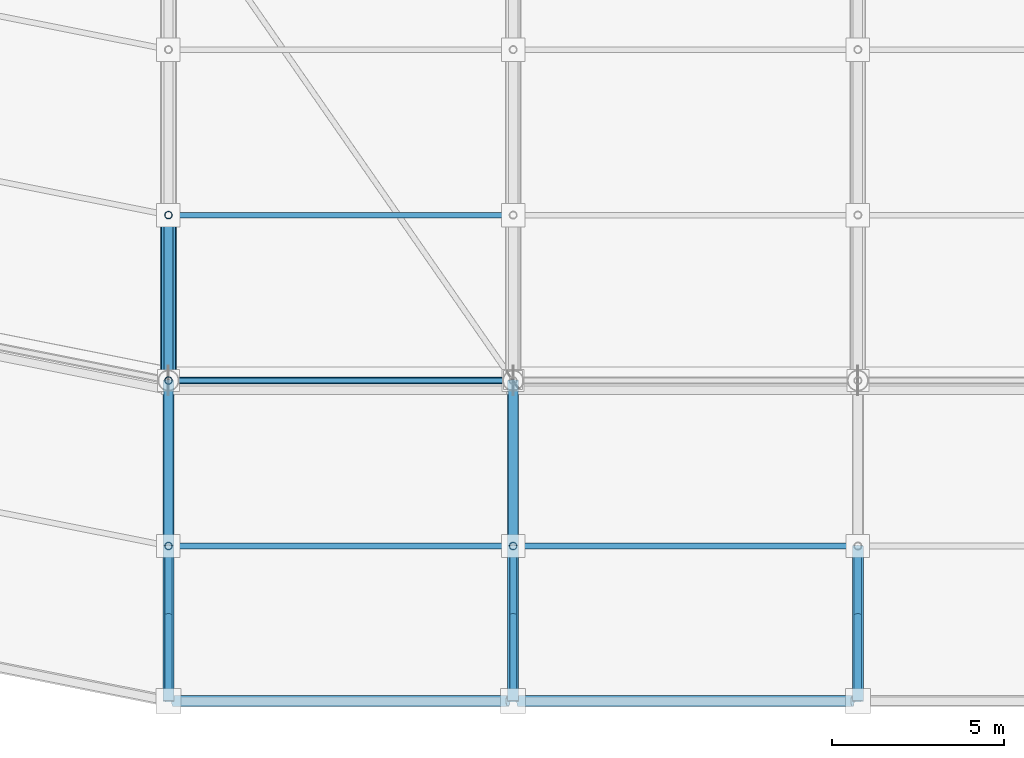
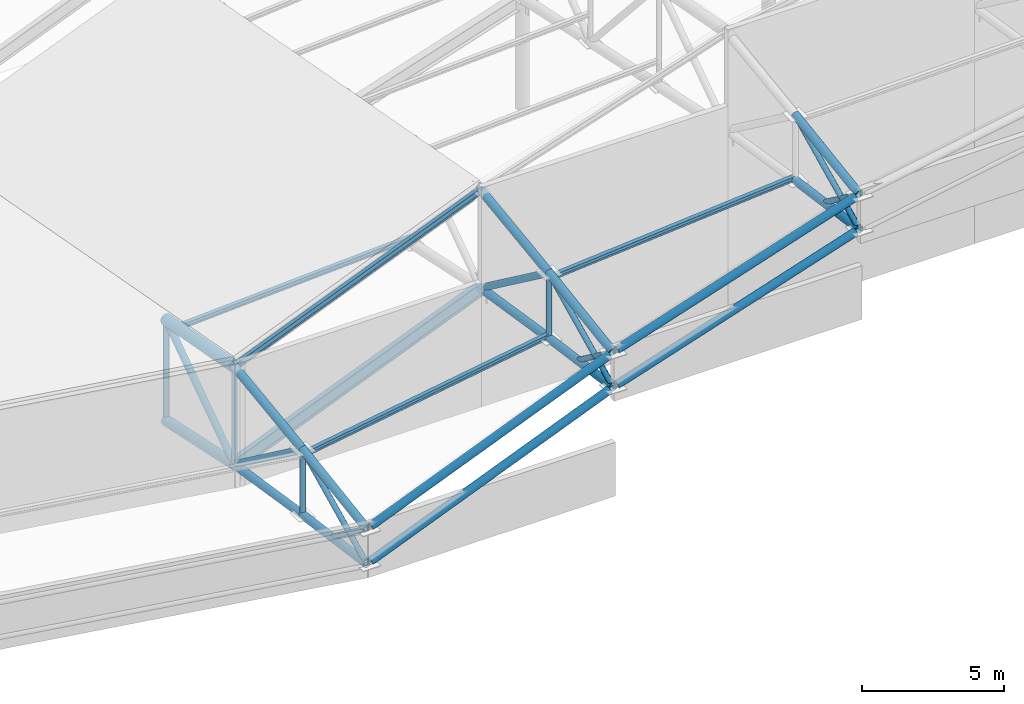
# One storey, part 28 of 146: 32 members, 2 beams.
"""IFC4 building model written with IfcOpenShell, lengths in metres."""

import ifcopenshell
import ifcopenshell.guid

model = None  # the IFC model being written
_history = None  # IfcOwnerHistory: only IFC2X3 demands one
_inside = {}  # id of a spatial element -> (the spatial element, [elements in it])
_under = {}  # id of a project, library or spatial element -> (it, [spatial elements below it])
_declared = {}  # id of a project -> (the project, [libraries it declares])
_typed = {}  # id of a type object -> (the type object, [elements of that type])
_made_of = {}  # id of a material, layer set ... -> (it, [elements and type objects made of it])


def new_model(schema):
    """Start an empty IFC model of exactly this schema.

    Asked for "IFC4X3", IfcOpenShell would pick the latest addendum, in which some entities
    have other attributes; the version numbers below select the first issue.
    IFC2X3 requires an IfcOwnerHistory on every rooted entity: one is made here for all.
    """
    global model, _history
    if schema == "IFC4X3":
        model = ifcopenshell.file(schema_version=(4, 3, 0, 0))
    else:
        model = ifcopenshell.file(schema=schema)
    _inside.clear()
    _under.clear()
    _declared.clear()
    _typed.clear()
    _made_of.clear()
    _history = None
    if model.schema == "IFC2X3":
        org = make("IfcOrganization", Name="unknown")
        user = make(
            "IfcPersonAndOrganization",
            ThePerson=make("IfcPerson", FamilyName="unknown"),
            TheOrganization=org,
        )
        app = make(
            "IfcApplication",
            ApplicationDeveloper=org,
            Version="unknown",
            ApplicationFullName="unknown",
            ApplicationIdentifier="unknown",
        )
        _history = make(
            "IfcOwnerHistory",
            OwningUser=user,
            OwningApplication=app,
            ChangeAction="ADDED",
            CreationDate=0,
        )
    return model


def make(cls, **values):
    """One entity of the class cls with the attributes given. An attribute that is None is left unset."""
    return model.create_entity(
        cls, **{name: value for name, value in values.items() if value is not None}
    )


def rooted(cls, **values):
    """An entity with a GlobalId (a new one), such as an element, a storey or a relation."""
    return make(cls, GlobalId=ifcopenshell.guid.new(), OwnerHistory=_history, **values)


def si_unit(unit_type, name, prefix=None):
    """IfcSIUnit, for example si_unit("LENGTHUNIT", "METRE", prefix="MILLI")."""
    return make("IfcSIUnit", UnitType=unit_type, Prefix=prefix, Name=name)


def assignment(units):
    """IfcUnitAssignment: the units of a project."""
    return None if units is None else make("IfcUnitAssignment", Units=units)


def point(xyz):
    """IfcCartesianPoint."""
    return None if xyz is None else make("IfcCartesianPoint", Coordinates=xyz)


def direction(xyz):
    """IfcDirection."""
    return None if xyz is None else make("IfcDirection", DirectionRatios=xyz)


def frame(location, z_axis=None, x_axis=None):
    """IfcAxis2Placement3D, a coordinate frame: its origin and axes. An axis left out is left unset."""
    return make(
        "IfcAxis2Placement3D",
        Location=point(location),
        Axis=direction(z_axis),
        RefDirection=direction(x_axis),
    )


def frame_2d(location, x_axis=None):
    """IfcAxis2Placement2D, a coordinate frame in the plane: its origin and x axis."""
    return make(
        "IfcAxis2Placement2D", Location=point(location), RefDirection=direction(x_axis)
    )


def origin():
    """The frame at (0, 0, 0) with its axes left unset."""
    return frame((0.0, 0.0, 0.0))


def origin_2d():
    """The frame at (0, 0) in the plane with its x axis left unset."""
    return frame_2d((0.0, 0.0))


def place(relative_to, where):
    """IfcLocalPlacement: puts the frame where relative to a parent placement (None: the world)."""
    return make(
        "IfcLocalPlacement", PlacementRelTo=relative_to, RelativePlacement=where
    )


def context(
    kind, dimensions, precision=None, world=None, true_north=None, identifier=None
):
    """IfcGeometricRepresentationContext, for example the 3D "Model" context."""
    return make(
        "IfcGeometricRepresentationContext",
        ContextIdentifier=identifier,
        ContextType=kind,
        CoordinateSpaceDimension=dimensions,
        Precision=precision,
        WorldCoordinateSystem=world,
        TrueNorth=true_north,
    )


def subcontext(parent, identifier, kind, view, scale=None):
    """IfcGeometricRepresentationSubContext, for example "Body" below "Model"."""
    return make(
        "IfcGeometricRepresentationSubContext",
        ContextIdentifier=identifier,
        ContextType=kind,
        ParentContext=parent,
        TargetScale=scale,
        TargetView=view,
    )


def project(units=None, contexts=None):
    """IfcProject with its units and contexts."""
    return rooted(
        "IfcProject",
        Name="project",
        RepresentationContexts=contexts,
        UnitsInContext=assignment(units),
    )


def spatial(cls, under=None, at=None, **own):
    """A site, building, storey or space (cls), placed at a placement, below another one or the project."""
    s = rooted(cls, ObjectPlacement=at, **own)
    if under is not None:
        _under.setdefault(under.id(), (under, []))[1].append(s)
    return s


def profile(cls, at=None, kind="AREA", **sizes):
    """A parametric profile (cls). Its sizes go by their IFC names, for example OverallWidth=200.0."""
    return make(cls, ProfileType=kind, Position=at, **sizes)


def hollow_circle(**sizes):
    """IfcCircleHollowProfileDef."""
    return profile("IfcCircleHollowProfileDef", **sizes)


def i_section(**sizes):
    """IfcIShapeProfileDef."""
    return profile("IfcIShapeProfileDef", **sizes)


def extrude(swept, where, along, depth):
    """IfcExtrudedAreaSolid: the profile swept, set in the frame where, extruded along a direction by depth."""
    return make(
        "IfcExtrudedAreaSolid",
        SweptArea=swept,
        Position=where,
        ExtrudedDirection=direction(along),
        Depth=depth,
    )


def shape(context_of_items, identifier, shape_type, items):
    """IfcShapeRepresentation: the items that make up one representation, for example the "Body"."""
    return make(
        "IfcShapeRepresentation",
        ContextOfItems=context_of_items,
        RepresentationIdentifier=identifier,
        RepresentationType=shape_type,
        Items=items,
    )


def material(Name=None, Category=None):
    """IfcMaterial."""
    return make("IfcMaterial", Name=Name, Category=Category)


def material_profile(
    of_material, cross_section, Name=None, Category=None, Priority=None
):
    """IfcMaterialProfile: a cross section and its material."""
    return make(
        "IfcMaterialProfile",
        Name=Name,
        Material=of_material,
        Profile=cross_section,
        Priority=Priority,
        Category=Category,
    )


def profile_set(profiles, Name=None, composite=None):
    """IfcMaterialProfileSet."""
    return make(
        "IfcMaterialProfileSet",
        Name=Name,
        MaterialProfiles=profiles,
        CompositeProfile=composite,
    )


def made_of(thing, what):
    """Note that an element or type object is made of a material, layer set ...; save() writes the relation."""
    if what is not None:
        _made_of.setdefault(what.id(), (what, []))[1].append(thing)
    return thing


def type_object(cls, material=None, **own):
    """A type object (cls), such as IfcWallType, which elements share."""
    return made_of(rooted(cls, **own), material)


def element(
    cls,
    number,
    at=None,
    inside=None,
    cuts=None,
    type_object=None,
    material=None,
    context=None,
    identifier="Body",
    shape_type=None,
    held_by="IfcProductDefinitionShape",
    body=None,
    shapes=None,
    **own,
):
    """One element of the class cls, such as IfcWall. Its Tag is "e" and its number.

    at: its placement. inside: the storey or other place that contains it. cuts: it is an
    opening in that element (IfcRelVoidsElement). A single representation is given by context,
    identifier, shape_type and body (its items); several are given by shapes. held_by: the class
    of the entity that holds the representations. save() writes the other relations.
    """
    e = rooted(cls, Tag="e%d" % number, ObjectPlacement=at, **own)
    if body is not None:
        shapes = [shape(context, identifier, shape_type, body)]
    if shapes is not None:
        e.Representation = make(held_by, Representations=shapes)
    if inside is not None:
        _inside.setdefault(inside.id(), (inside, []))[1].append(e)
    if cuts is not None:
        rooted(
            "IfcRelVoidsElement", RelatingBuildingElement=cuts, RelatedOpeningElement=e
        )
    if type_object is not None:
        _typed.setdefault(type_object.id(), (type_object, []))[1].append(e)
    return made_of(e, material)


def aggregate(whole, parts):
    """IfcRelAggregates: a whole, such as a stair, and the parts it consists of."""
    return rooted("IfcRelAggregates", RelatingObject=whole, RelatedObjects=parts)


def save(model, path):
    """Write the relations noted so far, then the file.

    IfcRelAggregates (storeys below a building ...), IfcRelContainedInSpatialStructure (elements
    in a storey), IfcRelDefinesByType, IfcRelAssociatesMaterial and IfcRelDeclares: one each for
    every whole, place, type object, material and project.
    """
    for whole, parts in _under.values():
        aggregate(whole, parts)
    for where, things in _inside.values():
        rooted(
            "IfcRelContainedInSpatialStructure",
            RelatedElements=things,
            RelatingStructure=where,
        )
    for kind, things in _typed.values():
        rooted("IfcRelDefinesByType", RelatedObjects=things, RelatingType=kind)
    for what, things in _made_of.values():
        rooted("IfcRelAssociatesMaterial", RelatedObjects=things, RelatingMaterial=what)
    for by, libraries in _declared.values():
        rooted("IfcRelDeclares", RelatingContext=by, RelatedDefinitions=libraries)
    model.write(path)


model = new_model("IFC4")

# Units and contexts
model_context = context("Model", 3, precision=1e-05, world=origin(), true_north=direction((0.0, 1.0)))
body_context = subcontext(model_context, "Body", "Model", "MODEL_VIEW")
ifc_project = project(units=[si_unit("LENGTHUNIT", "METRE"), si_unit("AREAUNIT", "SQUARE_METRE"), si_unit("VOLUMEUNIT", "CUBIC_METRE"), si_unit("PLANEANGLEUNIT", "RADIAN"), si_unit("MASSUNIT", "GRAM", prefix="KILO")], contexts=[model_context])

# Site, building, storey
site_placement = place(None, origin())
site = spatial("IfcSite", under=ifc_project, at=site_placement, CompositionType="ELEMENT")
building_placement = place(site_placement, origin())
building = spatial("IfcBuilding", under=site, at=building_placement, Name="Candeia Ridge Stadium", CompositionType="ELEMENT")
storey_placement = place(building_placement, frame((0.0, 0.0, 31.800048828125)))
storey = spatial("IfcBuildingStorey", under=building, at=storey_placement, Name="RF", CompositionType="ELEMENT", Elevation=31.800048828125)

# Beams
ifc_material = material(Name="Steel ASTM A572 Grade 50", Category="steel")
ifc_material_profile_1 = material_profile(ifc_material, i_section(OverallWidth=0.14794921875, OverallDepth=0.26611328125, WebThickness=0.007568359375, FlangeThickness=0.012939453125, FilletRadius=0.010986328125, at=origin_2d()), Name="W250x44.8", Category="steel")
ifc_profile_set_1 = profile_set([ifc_material_profile_1], Name="Steel ASTM A572 Grade 50")
beam_type_1 = type_object("IfcBeamType", Name="Canopy Edge Spandrel W250x44.8", PredefinedType="SPANDREL", material=ifc_profile_set_1)
beam_1_placement = place(storey_placement, frame((71.037109375, 19.0, 4.614990234375), z_axis=(0.925945510704, 0.0, 0.377657134457), x_axis=(0.0, 1.0, 0.0)))
element("IfcBeam", 1, at=beam_1_placement, inside=storey, type_object=beam_type_1, Name="Roof crown cap ring beam bay 19", PredefinedType="SPANDREL", context=body_context, shape_type="SweptSolid", body=[
    extrude(i_section(OverallWidth=0.14794921875, OverallDepth=0.26611328125, WebThickness=0.007568359375, FlangeThickness=0.012939453125, FilletRadius=0.010986328125, at=origin_2d()), origin(), (0.0, 0.0, 1.0), 10.7197265625),
])
ifc_material_profile_2 = material_profile(ifc_material, i_section(OverallWidth=0.2119140625, OverallDepth=0.5439453125, WebThickness=0.01318359375, FlangeThickness=0.021240234375, FilletRadius=0.013916015625, at=origin_2d()), Name="W530x123", Category="steel")
ifc_profile_set_2 = profile_set([ifc_material_profile_2], Name="Steel ASTM A572 Grade 50")
beam_type_2 = type_object("IfcBeamType", Name="Roof Perimeter Ring Beam W530x123", PredefinedType="BEAM", material=ifc_profile_set_2)
beam_2_placement = place(storey_placement, frame((71.037109375, 19.0, 0.4150390625), z_axis=(0.925945510704, 0.0, 0.377657134457), x_axis=(0.0, 1.0, 0.0)))
element("IfcBeam", 2, at=beam_2_placement, inside=storey, type_object=beam_type_2, Name="Roof perimeter ring beam bay 19", PredefinedType="BEAM", context=body_context, shape_type="SweptSolid", body=[
    extrude(i_section(OverallWidth=0.2119140625, OverallDepth=0.5439453125, WebThickness=0.01318359375, FlangeThickness=0.021240234375, FilletRadius=0.013916015625, at=origin_2d()), origin(), (0.0, 0.0, 1.0), 10.7197265625),
])

# Members
ifc_material_profile_3 = material_profile(ifc_material, i_section(OverallWidth=0.1650390625, OverallDepth=0.200927734375, WebThickness=0.006103515625, FlangeThickness=0.01025390625, FilletRadius=0.010009765625, at=origin_2d()), Name="W200x35.9", Category="steel")
ifc_profile_set_3 = profile_set([ifc_material_profile_3], Name="Steel ASTM A572 Grade 50")
member_type_1 = type_object("IfcMemberType", Name="Roof Purlin W200x35.9", PredefinedType="PURLIN", material=ifc_profile_set_3)
member_1_placement = place(storey_placement, frame((71.0498046875, 23.800048828125, 3.19482421875), z_axis=(0.998435557369, 0.0, 0.055914557871), x_axis=(0.0, 1.0, 0.0)))
element("IfcMember", 3, at=member_1_placement, inside=storey, type_object=member_type_1, Name="Saddle roof steel purlin bay 19-4", PredefinedType="PURLIN", context=body_context, shape_type="SweptSolid", body=[
    extrude(i_section(OverallWidth=0.1650390625, OverallDepth=0.200927734375, WebThickness=0.006103515625, FlangeThickness=0.01025390625, FilletRadius=0.010009765625, at=origin_2d()), origin(), (0.0, 0.0, 1.0), 9.916015625),
])
member_2_placement = place(storey_placement, frame((71.04931640625, 14.199951171875, 3.746337890625), z_axis=(0.986942119653, 0.0, 0.161075300572), x_axis=(0.0, 1.0, 0.0)))
element("IfcMember", 4, at=member_2_placement, inside=storey, type_object=member_type_1, Name="Saddle roof steel purlin bay 19-5", PredefinedType="PURLIN", context=body_context, shape_type="SweptSolid", body=[
    extrude(i_section(OverallWidth=0.1650390625, OverallDepth=0.200927734375, WebThickness=0.006103515625, FlangeThickness=0.01025390625, FilletRadius=0.010009765625, at=origin_2d()), origin(), (0.0, 0.0, 1.0), 10.032470703125),
])
member_3_placement = place(storey_placement, frame((81.0498046875, 14.199951171875, 7.821044921875), z_axis=(0.996621274205, 0.0, 0.082134254744), x_axis=(0.0, 1.0, 0.0)))
element("IfcMember", 5, at=member_3_placement, inside=storey, type_object=member_type_1, Name="Saddle roof steel purlin bay 20-5", PredefinedType="PURLIN", context=body_context, shape_type="SweptSolid", body=[
    extrude(i_section(OverallWidth=0.1650390625, OverallDepth=0.200927734375, WebThickness=0.006103515625, FlangeThickness=0.01025390625, FilletRadius=0.010009765625, at=origin_2d()), origin(), (0.0, 0.0, 1.0), 9.933837890625),
])
ifc_material_profile_4 = material_profile(ifc_material, hollow_circle(Radius=0.161865234375, WallThickness=0.012451171875, at=origin_2d()), Name="CHS323x12", Category="steel")
ifc_profile_set_4 = profile_set([ifc_material_profile_4], Name="Steel ASTM A572 Grade 50")
member_type_2 = type_object("IfcMemberType", Name="Roof Truss Eaves Chord CHS323x12", PredefinedType="CHORD", material=ifc_profile_set_4)
member_4_placement = place(storey_placement, frame((71.0, 19.0, 4.599853515625), z_axis=(0.0, -0.991184698971, -0.132487329683), x_axis=(1.0, 0.0, 0.0)))
element("IfcMember", 6, at=member_4_placement, inside=storey, type_object=member_type_2, Name="Roof cantilever truss RT-19 top chord 7", PredefinedType="CHORD", context=body_context, shape_type="SweptSolid", body=[
    extrude(hollow_circle(Radius=0.161865234375, WallThickness=0.012451171875, at=origin_2d()), origin(), (0.0, 0.0, 1.0), 4.8427734375),
])
member_5_placement = place(storey_placement, frame((71.0, 19.0, 0.39990234375), z_axis=(0.0, -0.987950881294, 0.154767749066), x_axis=(1.0, 0.0, 0.0)))
element("IfcMember", 7, at=member_5_placement, inside=storey, type_object=member_type_2, Name="Roof cantilever truss RT-19 bottom chord 7", PredefinedType="CHORD", context=body_context, shape_type="SweptSolid", body=[
    extrude(hollow_circle(Radius=0.161865234375, WallThickness=0.012451171875, at=origin_2d()), origin(), (0.0, 0.0, 1.0), 4.858642578125),
])
member_6_placement = place(storey_placement, frame((71.0, 14.199951171875, 3.958251953125), z_axis=(0.0, -0.988863828185, -0.148823147753), x_axis=(1.0, 0.0, 0.0)))
element("IfcMember", 8, at=member_6_placement, inside=storey, type_object=member_type_2, Name="Roof cantilever truss RT-19 top chord 8", PredefinedType="CHORD", context=body_context, shape_type="SweptSolid", body=[
    extrude(hollow_circle(Radius=0.161865234375, WallThickness=0.012451171875, at=origin_2d()), origin(), (0.0, 0.0, 1.0), 4.55078125),
])
member_7_placement = place(storey_placement, frame((71.0, 14.199951171875, 1.15185546875), z_axis=(0.0, -0.990367404155, 0.138464453153), x_axis=(1.0, 0.0, 0.0)))
element("IfcMember", 9, at=member_7_placement, inside=storey, type_object=member_type_2, Name="Roof cantilever truss RT-19 bottom chord 8", PredefinedType="CHORD", context=body_context, shape_type="SweptSolid", body=[
    extrude(hollow_circle(Radius=0.161865234375, WallThickness=0.012451171875, at=origin_2d()), origin(), (0.0, 0.0, 1.0), 4.543701171875),
])
for number, where, z_axis, x_axis, name in (
    (10, (71.148193359375, 9.699951171875, 3.34130859375), (0.925944259539, 0.0, 0.377660202068), (0.0, 1.0, 0.0), "Saddle roof outer eaves top ring chord bay 19"),
    (11, (71.148193359375, 9.699951171875, 1.84130859375), (0.925944259539, 0.0, 0.377660202068), (0.0, 1.0, 0.0), "Saddle roof outer eaves bottom ring chord bay 19"),
):
    element("IfcMember", number, at=place(storey_placement, frame(where, z_axis=z_axis, x_axis=x_axis)), inside=storey, type_object=member_type_2, Name=name, PredefinedType="CHORD", context=body_context, shape_type="SweptSolid", body=[
        extrude(hollow_circle(Radius=0.161865234375, WallThickness=0.012451171875, at=origin_2d()), origin(), (0.0, 0.0, 1.0), 10.479736328125),
    ])
member_8_placement = place(storey_placement, frame((81.0, 19.0, 8.678466796875), z_axis=(0.0, -0.991184698971, -0.132487329683), x_axis=(1.0, 0.0, 0.0)))
element("IfcMember", 12, at=member_8_placement, inside=storey, type_object=member_type_2, Name="Roof cantilever truss RT-20 top chord 7", PredefinedType="CHORD", context=body_context, shape_type="SweptSolid", body=[
    extrude(hollow_circle(Radius=0.161865234375, WallThickness=0.012451171875, at=origin_2d()), origin(), (0.0, 0.0, 1.0), 4.8427734375),
])
member_9_placement = place(storey_placement, frame((81.0, 19.0, 4.478515625), z_axis=(0.0, -0.987950881294, 0.154767749066), x_axis=(1.0, 0.0, 0.0)))
element("IfcMember", 13, at=member_9_placement, inside=storey, type_object=member_type_2, Name="Roof cantilever truss RT-20 bottom chord 7", PredefinedType="CHORD", context=body_context, shape_type="SweptSolid", body=[
    extrude(hollow_circle(Radius=0.161865234375, WallThickness=0.012451171875, at=origin_2d()), origin(), (0.0, 0.0, 1.0), 4.858642578125),
])
member_10_placement = place(storey_placement, frame((81.0, 14.199951171875, 8.036865234375), z_axis=(0.0, -0.988855931513, -0.148875608179), x_axis=(1.0, 0.0, 0.0)))
element("IfcMember", 14, at=member_10_placement, inside=storey, type_object=member_type_2, Name="Roof cantilever truss RT-20 top chord 8", PredefinedType="CHORD", context=body_context, shape_type="SweptSolid", body=[
    extrude(hollow_circle(Radius=0.161865234375, WallThickness=0.012451171875, at=origin_2d()), origin(), (0.0, 0.0, 1.0), 4.55078125),
])
member_11_placement = place(storey_placement, frame((81.0, 14.199951171875, 5.23046875), z_axis=(0.0, -0.990374770959, 0.138411751844), x_axis=(1.0, 0.0, 0.0)))
element("IfcMember", 15, at=member_11_placement, inside=storey, type_object=member_type_2, Name="Roof cantilever truss RT-20 bottom chord 8", PredefinedType="CHORD", context=body_context, shape_type="SweptSolid", body=[
    extrude(hollow_circle(Radius=0.161865234375, WallThickness=0.012451171875, at=origin_2d()), origin(), (0.0, 0.0, 1.0), 4.543701171875),
])
for number, where, z_axis, x_axis, name in (
    (16, (81.152099609375, 9.699951171875, 7.4091796875), (0.950455896445, 0.0, 0.31085943594), (0.0, 1.0, 0.0), "Saddle roof outer eaves top ring chord bay 20"),
    (17, (81.152099609375, 9.699951171875, 5.9091796875), (0.950455896445, 0.0, 0.31085943594), (0.0, 1.0, 0.0), "Saddle roof outer eaves bottom ring chord bay 20"),
):
    element("IfcMember", number, at=place(storey_placement, frame(where, z_axis=z_axis, x_axis=x_axis)), inside=storey, type_object=member_type_2, Name=name, PredefinedType="CHORD", context=body_context, shape_type="SweptSolid", body=[
        extrude(hollow_circle(Radius=0.161865234375, WallThickness=0.012451171875, at=origin_2d()), origin(), (0.0, 0.0, 1.0), 10.201171875),
    ])
member_12_placement = place(storey_placement, frame((91.0, 14.199951171875, 11.3076171875), z_axis=(0.0, -0.988855931513, -0.148875608179), x_axis=(1.0, 0.0, 0.0)))
element("IfcMember", 18, at=member_12_placement, inside=storey, type_object=member_type_2, Name="Roof cantilever truss RT-21 top chord 8", PredefinedType="CHORD", context=body_context, shape_type="SweptSolid", body=[
    extrude(hollow_circle(Radius=0.161865234375, WallThickness=0.012451171875, at=origin_2d()), origin(), (0.0, 0.0, 1.0), 4.55078125),
])
member_13_placement = place(storey_placement, frame((91.0, 14.199951171875, 8.5009765625), z_axis=(0.0, -0.990367404155, 0.138464453153), x_axis=(1.0, 0.0, 0.0)))
element("IfcMember", 19, at=member_13_placement, inside=storey, type_object=member_type_2, Name="Roof cantilever truss RT-21 bottom chord 8", PredefinedType="CHORD", context=body_context, shape_type="SweptSolid", body=[
    extrude(hollow_circle(Radius=0.161865234375, WallThickness=0.012451171875, at=origin_2d()), origin(), (0.0, 0.0, 1.0), 4.543701171875),
])
ifc_material_profile_5 = material_profile(ifc_material, hollow_circle(Radius=0.136474609375, WallThickness=0.010009765625, at=origin_2d()), Name="CHS273x10", Category="steel")
ifc_profile_set_5 = profile_set([ifc_material_profile_5], Name="Steel ASTM A572 Grade 50")
member_type_3 = type_object("IfcMemberType", Name="Roof Truss Heavy Web Brace CHS273x10", PredefinedType="BRACE", material=ifc_profile_set_5)
member_14_placement = place(storey_placement, frame((71.0, 23.800048828125, 3.7119140625), z_axis=(0.0, -0.823081876777, -0.567922727245), x_axis=(1.0, 0.0, 0.0)))
element("IfcMember", 20, at=member_14_placement, inside=storey, type_object=member_type_3, Name="Roof cantilever truss RT-19 diagonal web 6", PredefinedType="BRACE", context=body_context, shape_type="SweptSolid", body=[
    extrude(hollow_circle(Radius=0.136474609375, WallThickness=0.010009765625, at=origin_2d()), origin(), (0.0, 0.0, 1.0), 5.831787109375),
])
for number, where, z_axis, x_axis, name in (
    (21, (71.0, 19.0, 0.39990234375), (0.0, -0.803336374347, 0.595525540721), (1.0, 0.0, 0.0), "Roof cantilever truss RT-19 diagonal web 7"),
    (22, (81.0, 19.0, 4.478515625), (0.0, -0.803336374347, 0.595525540721), (1.0, 0.0, 0.0), "Roof cantilever truss RT-20 diagonal web 7"),
):
    element("IfcMember", number, at=place(storey_placement, frame(where, z_axis=z_axis, x_axis=x_axis)), inside=storey, type_object=member_type_3, Name=name, PredefinedType="BRACE", context=body_context, shape_type="SweptSolid", body=[
        extrude(hollow_circle(Radius=0.136474609375, WallThickness=0.010009765625, at=origin_2d()), origin(), (0.0, 0.0, 1.0), 5.97509765625),
    ])
ifc_material_profile_6 = material_profile(ifc_material, hollow_circle(Radius=0.109619140625, WallThickness=0.010009765625, at=origin_2d()), Name="CHS219x10", Category="steel")
ifc_profile_set_6 = profile_set([ifc_material_profile_6], Name="Steel ASTM A572 Grade 50")
member_type_4 = type_object("IfcMemberType", Name="Roof Truss Inner Web Brace CHS219x10", PredefinedType="BRACE", material=ifc_profile_set_6)
member_15_placement = place(storey_placement, frame((71.0, 14.199951171875, 3.958251953125), z_axis=(0.0, -0.900172839827, -0.43553284427), x_axis=(1.0, 0.0, 0.0)))
element("IfcMember", 23, at=member_15_placement, inside=storey, type_object=member_type_4, Name="Roof cantilever truss RT-19 diagonal web 8", PredefinedType="BRACE", context=body_context, shape_type="SweptSolid", body=[
    extrude(hollow_circle(Radius=0.109619140625, WallThickness=0.010009765625, at=origin_2d()), origin(), (0.0, 0.0, 1.0), 4.9990234375),
])
member_16_placement = place(storey_placement, frame((71.0, 23.800048828125, -0.621337890625), z_axis=(0.0, 0.0, 1.0), x_axis=(1.0, 0.0, 0.0)))
element("IfcMember", 24, at=member_16_placement, inside=storey, type_object=member_type_4, Name="Roof cantilever truss RT-19 vertical post 5", PredefinedType="BRACE", context=body_context, shape_type="SweptSolid", body=[
    extrude(hollow_circle(Radius=0.109619140625, WallThickness=0.010009765625, at=origin_2d()), origin(), (0.0, 0.0, 1.0), 4.333251953125),
])
member_17_placement = place(storey_placement, frame((71.0, 19.0, 0.39990234375), z_axis=(0.0, 0.0, 1.0), x_axis=(1.0, 0.0, 0.0)))
element("IfcMember", 25, at=member_17_placement, inside=storey, type_object=member_type_4, Name="Roof cantilever truss RT-19 vertical post 6", PredefinedType="BRACE", context=body_context, shape_type="SweptSolid", body=[
    extrude(hollow_circle(Radius=0.109619140625, WallThickness=0.010009765625, at=origin_2d()), origin(), (0.0, 0.0, 1.0), 4.199951171875),
])
member_18_placement = place(storey_placement, frame((71.0, 14.199951171875, 1.15185546875), z_axis=(0.0, 0.0, 1.0), x_axis=(1.0, 0.0, 0.0)))
element("IfcMember", 26, at=member_18_placement, inside=storey, type_object=member_type_4, Name="Roof cantilever truss RT-19 vertical post 7", PredefinedType="BRACE", context=body_context, shape_type="SweptSolid", body=[
    extrude(hollow_circle(Radius=0.109619140625, WallThickness=0.010009765625, at=origin_2d()), origin(), (0.0, 0.0, 1.0), 2.806396484375),
])
member_19_placement = place(storey_placement, frame((71.0, 12.175048828125, 1.43505859375), z_axis=(0.0, -0.80161013398, 0.597847131883), x_axis=(1.0, 0.0, 0.0)))
element("IfcMember", 27, at=member_19_placement, inside=storey, type_object=member_type_4, Name="Roof cantilever truss RT-19 vertical post 8", PredefinedType="BRACE", context=body_context, shape_type="SweptSolid", body=[
    extrude(hollow_circle(Radius=0.109619140625, WallThickness=0.010009765625, at=origin_2d()), origin(), (0.0, 0.0, 1.0), 3.087646484375),
])
member_20_placement = place(storey_placement, frame((81.0, 14.199951171875, 8.036865234375), z_axis=(0.0, -0.900153692386, -0.435572416579), x_axis=(1.0, 0.0, 0.0)))
element("IfcMember", 28, at=member_20_placement, inside=storey, type_object=member_type_4, Name="Roof cantilever truss RT-20 diagonal web 8", PredefinedType="BRACE", context=body_context, shape_type="SweptSolid", body=[
    extrude(hollow_circle(Radius=0.109619140625, WallThickness=0.010009765625, at=origin_2d()), origin(), (0.0, 0.0, 1.0), 4.999267578125),
])
member_21_placement = place(storey_placement, frame((81.0, 14.199951171875, 5.23046875), z_axis=(0.0, 0.0, 1.0), x_axis=(1.0, 0.0, 0.0)))
element("IfcMember", 29, at=member_21_placement, inside=storey, type_object=member_type_4, Name="Roof cantilever truss RT-20 vertical post 7", PredefinedType="BRACE", context=body_context, shape_type="SweptSolid", body=[
    extrude(hollow_circle(Radius=0.109619140625, WallThickness=0.010009765625, at=origin_2d()), origin(), (0.0, 0.0, 1.0), 2.806396484375),
])
member_22_placement = place(storey_placement, frame((81.0, 12.175048828125, 5.513427734375), z_axis=(0.0, -0.80161013398, 0.597847131883), x_axis=(1.0, 0.0, 0.0)))
element("IfcMember", 30, at=member_22_placement, inside=storey, type_object=member_type_4, Name="Roof cantilever truss RT-20 vertical post 8", PredefinedType="BRACE", context=body_context, shape_type="SweptSolid", body=[
    extrude(hollow_circle(Radius=0.109619140625, WallThickness=0.010009765625, at=origin_2d()), origin(), (0.0, 0.0, 1.0), 3.087646484375),
])
member_23_placement = place(storey_placement, frame((91.0, 14.199951171875, 11.3076171875), z_axis=(0.0, -0.900153692386, -0.435572416579), x_axis=(1.0, 0.0, 0.0)))
element("IfcMember", 31, at=member_23_placement, inside=storey, type_object=member_type_4, Name="Roof cantilever truss RT-21 diagonal web 8", PredefinedType="BRACE", context=body_context, shape_type="SweptSolid", body=[
    extrude(hollow_circle(Radius=0.109619140625, WallThickness=0.010009765625, at=origin_2d()), origin(), (0.0, 0.0, 1.0), 4.999267578125),
])
member_24_placement = place(storey_placement, frame((91.0, 12.175048828125, 8.7841796875), z_axis=(0.0, -0.80161013398, 0.597847131883), x_axis=(1.0, 0.0, 0.0)))
element("IfcMember", 32, at=member_24_placement, inside=storey, type_object=member_type_4, Name="Roof cantilever truss RT-21 vertical post 8", PredefinedType="BRACE", context=body_context, shape_type="SweptSolid", body=[
    extrude(hollow_circle(Radius=0.109619140625, WallThickness=0.010009765625, at=origin_2d()), origin(), (0.0, 0.0, 1.0), 3.087646484375),
])
ifc_material_profile_7 = material_profile(ifc_material, hollow_circle(Radius=0.228515625, WallThickness=0.02001953125, at=origin_2d()), Name="CHS457x20", Category="steel")
ifc_profile_set_7 = profile_set([ifc_material_profile_7], Name="Steel ASTM A572 Grade 50")
member_type_5 = type_object("IfcMemberType", Name="Roof Truss Main Chord CHS457x20", PredefinedType="CHORD", material=ifc_profile_set_7)
member_25_placement = place(storey_placement, frame((71.0, 23.800048828125, 3.7119140625), z_axis=(0.0, -0.983317142098, 0.181899417416), x_axis=(1.0, 0.0, 0.0)))
element("IfcMember", 33, at=member_25_placement, inside=storey, type_object=member_type_5, Name="Roof cantilever truss RT-19 top chord 6", PredefinedType="CHORD", context=body_context, shape_type="SweptSolid", body=[
    extrude(hollow_circle(Radius=0.228515625, WallThickness=0.02001953125, at=origin_2d()), origin(), (0.0, 0.0, 1.0), 4.881591796875),
])
ifc_material_profile_8 = material_profile(ifc_material, hollow_circle(Radius=0.202880859375, WallThickness=0.01611328125, at=origin_2d()), Name="CHS406x16", Category="steel")
ifc_profile_set_8 = profile_set([ifc_material_profile_8], Name="Steel ASTM A572 Grade 50")
member_type_6 = type_object("IfcMemberType", Name="Roof Truss Outer Chord CHS406x16", PredefinedType="CHORD", material=ifc_profile_set_8)
member_26_placement = place(storey_placement, frame((71.0, 23.800048828125, -0.621337890625), z_axis=(0.0, -0.97810786804, 0.208098530696), x_axis=(1.0, 0.0, 0.0)))
element("IfcMember", 34, at=member_26_placement, inside=storey, type_object=member_type_6, Name="Roof cantilever truss RT-19 bottom chord 6", PredefinedType="CHORD", context=body_context, shape_type="SweptSolid", body=[
    extrude(hollow_circle(Radius=0.202880859375, WallThickness=0.01611328125, at=origin_2d()), origin(), (0.0, 0.0, 1.0), 4.907470703125),
])

save(model, "model.ifc")
